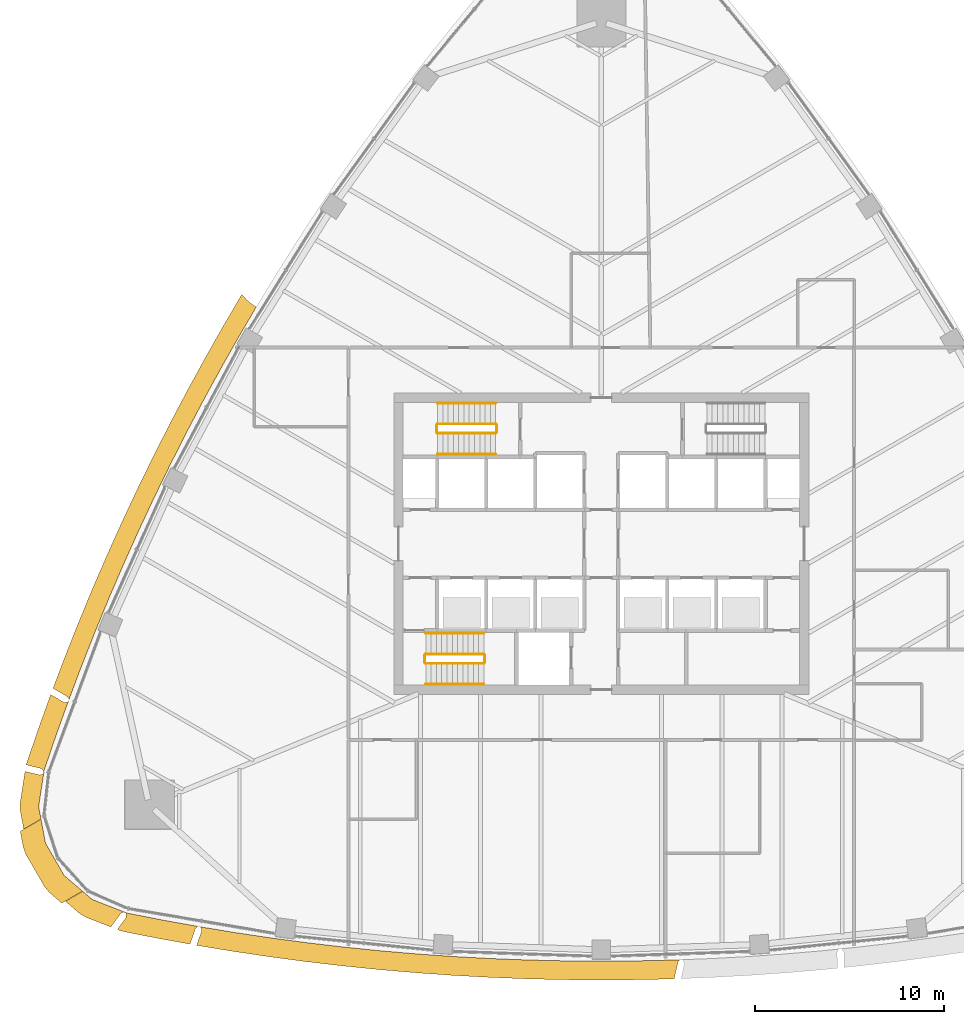
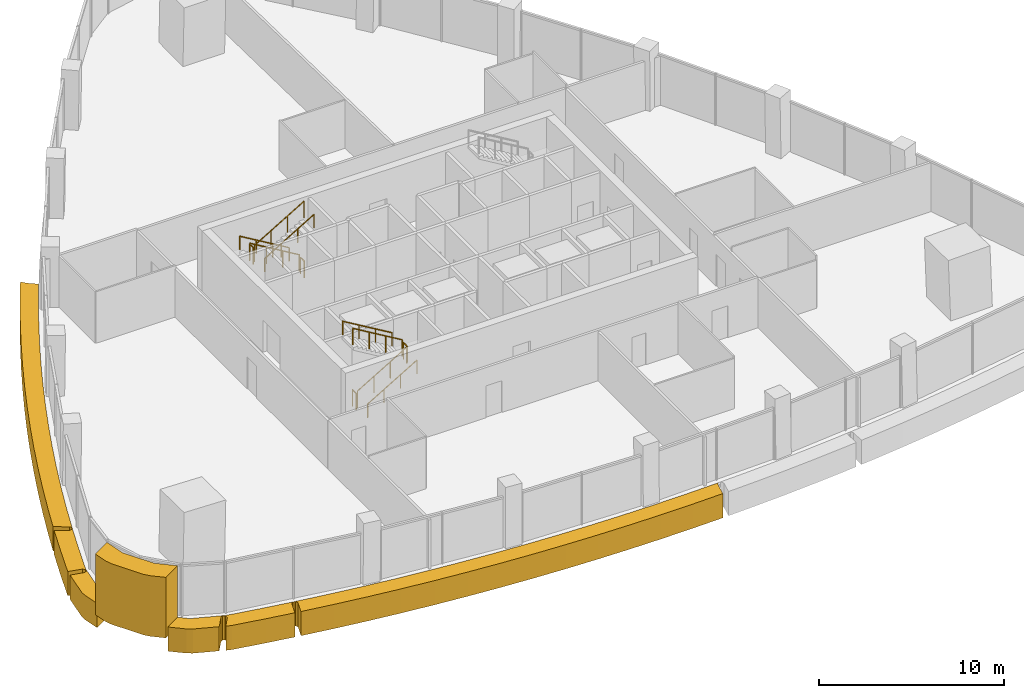
# One storey, part 13 of 16: 12 railings, 3 coverings.
"""IFC4 building model written with IfcOpenShell, lengths in metres."""

from ifc_helpers import new_model, si_unit, direction, frame, origin, origin_2d, place, context, subcontext, project, spatial, polyline, circle, outline, extrude, material, layer, layer_set, type_object, element, save


model = new_model("IFC4")

# Units and contexts
model_context = context("Model", 3, precision=1e-05, world=origin(), true_north=direction((0.0, 1.0)))
body_context = subcontext(model_context, "Body", "Model", "MODEL_VIEW")
ifc_project = project(units=[si_unit("LENGTHUNIT", "METRE"), si_unit("AREAUNIT", "SQUARE_METRE"), si_unit("VOLUMEUNIT", "CUBIC_METRE"), si_unit("PLANEANGLEUNIT", "RADIAN"), si_unit("MASSUNIT", "GRAM", prefix="KILO")], contexts=[model_context])

# Site, building, storey
site_placement = place(None, origin())
site = spatial("IfcSite", under=ifc_project, at=site_placement, CompositionType="ELEMENT")
building_placement = place(site_placement, origin())
building = spatial("IfcBuilding", under=site, at=building_placement, Name="Sierra Prisma Convention Tower", CompositionType="ELEMENT")
storey_placement = place(building_placement, frame((0.0, 0.0, 165.800048828125)))
storey = spatial("IfcBuildingStorey", under=building, at=storey_placement, Name="L36", CompositionType="ELEMENT", Elevation=165.800048828125)

# Coverings
ifc_material_1 = material(Name="Aluminium composite bronze anodised", Category="aluminium")
ifc_layer_1 = layer(ifc_material_1, 1.199951171875)
ifc_layer_set_1 = layer_set([ifc_layer_1], Name="Bronze corner pier")
covering_type_1 = type_object("IfcCoveringType", Name="Bronze corner pier", PredefinedType="CLADDING", material=ifc_layer_set_1)
covering_1_placement = place(storey_placement, frame((0.0, 0.0, -0.60009765625)))
element("IfcCovering", 1, at=covering_1_placement, inside=storey, type_object=covering_type_1, Name="Corner pier SW L36.1", PredefinedType="CLADDING", context=body_context, shape_type="SweptSolid", body=[
    extrude(outline(polyline([(-29.46435546875, -15.873779296875), (-28.479248046875, -17.580078125), (-27.501953125, -18.418701171875), (-28.603515625, -19.0546875), (-29.260498046875, -18.49072265625), (-29.518310546875, -18.18017578125), (-30.503662109375, -16.4736328125), (-30.643798828125, -16.09521484375), (-30.803466796875, -15.244140625), (-29.701904296875, -14.608154296875), (-29.46435546875, -15.873779296875)])), origin(), (0.0, 0.0, 1.0), 4.0),
])
ifc_material_2 = material(Name="Aluminium composite bronze anodised", Category="aluminium")
ifc_layer_2 = layer(ifc_material_2, 1.0)
ifc_layer_set_2 = layer_set([ifc_layer_2], Name="Bronze spandrel band")
covering_type_2 = type_object("IfcCoveringType", Name="Bronze spandrel band", PredefinedType="CLADDING", material=ifc_layer_set_2)
covering_2_placement = place(storey_placement, frame((0.0, 0.0, -1.60009765625)))
element("IfcCovering", 2, at=covering_2_placement, inside=storey, type_object=covering_type_2, Name="Spandrel band L36.1", PredefinedType="CLADDING", context=body_context, shape_type="SweptSolid", body=[
    extrude(outline(polyline([(-26.24365234375, -0.6943359375), (-26.2373046875, -0.68017578125), (-25.438720703125, 1.09619140625), (-25.43212890625, 1.1103515625), (-24.60595703125, 2.8740234375), (-24.599365234375, 2.88818359375), (-23.745849609375, 4.638916015625), (-23.739013671875, 4.652587890625), (-22.8583984375, 6.389892578125), (-22.85107421875, 6.40380859375), (-21.943603515625, 8.126953125), (-21.936279296875, 8.140625), (-21.001953125, 9.849609375), (-20.994384765625, 9.86328125), (-20.03369140625, 11.5576171875), (-20.02587890625, 11.571044921875), (-19.05419921875, 13.224609375), (-18.95263671875, 13.09619140625), (-18.780517578125, 12.91748046875), (-18.591552734375, 12.756591796875), (-18.3876953125, 12.615234375), (-18.28857421875, 12.553466796875), (-19.163818359375, 11.064208984375), (-20.12451171875, 9.3701171875), (-21.058837890625, 7.6611328125), (-21.96630859375, 5.937744140625), (-22.846923828125, 4.20068359375), (-23.700439453125, 2.449951171875), (-24.526611328125, 0.68603515625), (-25.3251953125, -1.090087890625), (-26.09619140625, -2.87890625), (-26.839111328125, -4.67919921875), (-27.55419921875, -6.490966796875), (-28.24072265625, -8.3134765625), (-28.899169921875, -10.146484375), (-29.52880859375, -11.989501953125), (-29.827880859375, -13.93701171875), (-29.703857421875, -14.59765625), (-30.621826171875, -15.127685546875), (-30.810791015625, -14.12158203125), (-30.81640625, -13.785400390625), (-30.552490234375, -12.067138671875), (-29.7802734375, -12.255859375), (-29.775146484375, -12.2568359375), (-29.770263671875, -12.25732421875), (-29.76513671875, -12.257080078125), (-29.76025390625, -12.256591796875), (-29.755126953125, -12.255615234375), (-29.75048828125, -12.25390625), (-29.60986328125, -12.2001953125), (-29.60546875, -12.1982421875), (-29.601318359375, -12.196044921875), (-29.597412109375, -12.193359375), (-29.593505859375, -12.190185546875), (-29.590087890625, -12.186767578125), (-29.587158203125, -12.18310546875), (-29.584716796875, -12.17919921875), (-29.58251953125, -12.1748046875), (-29.58056640625, -12.17041015625), (-29.5791015625, -12.165771484375), (-29.578125, -12.1611328125), (-29.56298828125, -12.062255859375), (-29.5625, -12.0576171875), (-29.5625, -12.052490234375), (-29.56298828125, -12.0478515625), (-29.563720703125, -12.04296875), (-29.565185546875, -12.038330078125), (-29.56689453125, -12.03369140625), (-29.569091796875, -12.029541015625), (-29.572021484375, -12.025390625), (-29.574951171875, -12.021728515625), (-29.578369140625, -12.018310546875), (-29.6748046875, -11.927978515625), (-29.6787109375, -11.924560546875), (-29.682861328125, -11.921875), (-29.6875, -11.919189453125), (-29.692138671875, -11.91748046875), (-29.697021484375, -11.916015625), (-30.48876953125, -11.722412109375), (-30.47509765625, -11.666259765625), (-29.845458984375, -9.8232421875), (-29.84033203125, -9.80859375), (-29.18896484375, -7.994873046875), (-28.493896484375, -8.40673828125), (-28.48974609375, -8.408935546875), (-28.485595703125, -8.410888671875), (-28.481201171875, -8.412109375), (-28.4765625, -8.4130859375), (-28.471923828125, -8.413818359375), (-28.46728515625, -8.413818359375), (-28.462646484375, -8.41357421875), (-28.30419921875, -8.39501953125), (-28.29931640625, -8.394287109375), (-28.29443359375, -8.392822265625), (-28.289794921875, -8.39111328125), (-28.285400390625, -8.388916015625), (-28.28125, -8.38623046875), (-28.27734375, -8.38330078125), (-28.273681640625, -8.3798828125), (-28.2705078125, -8.3759765625), (-28.267578125, -8.371826171875), (-28.26513671875, -8.36767578125), (-28.26318359375, -8.363037109375), (-28.22802734375, -8.269287109375), (-28.226318359375, -8.264404296875), (-28.225341796875, -8.259521484375), (-28.224853515625, -8.25439453125), (-28.224853515625, -8.2490234375), (-28.225341796875, -8.243896484375), (-28.226318359375, -8.239013671875), (-28.22802734375, -8.23388671875), (-28.22998046875, -8.229248046875), (-28.232666015625, -8.224853515625), (-28.298828125, -8.12158203125), (-28.301513671875, -8.117919921875), (-28.3046875, -8.114501953125), (-28.30810546875, -8.111083984375), (-28.3115234375, -8.1083984375), (-28.3154296875, -8.105712890625), (-29.064208984375, -7.662109375), (-28.489990234375, -6.13818359375), (-28.484375, -6.123779296875), (-27.769287109375, -4.31201171875), (-27.763671875, -4.297607421875), (-27.0205078125, -2.497314453125), (-27.014404296875, -2.48291015625), (-26.24365234375, -0.6943359375)])), origin(), (0.0, 0.0, 1.0), 1.60009765625),
])
covering_3_placement = place(storey_placement, frame((0.0, 0.0, -1.60009765625)))
element("IfcCovering", 3, at=covering_3_placement, inside=storey, type_object=covering_type_2, Name="Spandrel band L36.2", PredefinedType="CLADDING", context=body_context, shape_type="SweptSolid", body=[
    extrude(outline(polyline([(-25.147705078125, -19.577880859375), (-23.23681640625, -19.9541015625), (-21.320068359375, -20.300537109375), (-19.3984375, -20.6171875), (-17.471923828125, -20.90380859375), (-15.541259765625, -21.16064453125), (-13.606689453125, -21.38720703125), (-11.669189453125, -21.583740234375), (-9.728515625, -21.750244140625), (-7.78564453125, -21.88623046875), (-5.8408203125, -21.9921875), (-3.894775390625, -22.068115234375), (-1.947509765625, -22.11328125), (0.0, -22.128662109375), (1.947509765625, -22.11328125), (3.894775390625, -22.068115234375), (4.1611328125, -22.0576171875), (4.15673828125, -22.059814453125), (4.152587890625, -22.062744140625), (4.148681640625, -22.06591796875), (4.145263671875, -22.0693359375), (4.14208984375, -22.072998046875), (4.07470703125, -22.163330078125), (4.072021484375, -22.167724609375), (4.069580078125, -22.17236328125), (4.0673828125, -22.17724609375), (4.066162109375, -22.18212890625), (3.864990234375, -23.069091796875), (1.970947265625, -23.11328125), (1.955322265625, -23.11328125), (0.0078125, -23.12841796875), (-0.0078125, -23.12841796875), (-1.955322265625, -23.11328125), (-1.970947265625, -23.11328125), (-3.91796875, -23.067626953125), (-3.93359375, -23.067138671875), (-5.8798828125, -22.991455078125), (-5.895263671875, -22.99072265625), (-7.840087890625, -22.885009765625), (-7.855712890625, -22.8837890625), (-9.798583984375, -22.747802734375), (-9.81396484375, -22.74658203125), (-11.75439453125, -22.580078125), (-11.77001953125, -22.57861328125), (-13.707763671875, -22.382080078125), (-13.72314453125, -22.38037109375), (-15.65771484375, -22.15380859375), (-15.673095703125, -22.15185546875), (-17.603759765625, -21.89501953125), (-17.619140625, -21.89306640625), (-19.545654296875, -21.606201171875), (-19.560791015625, -21.60400390625), (-21.455078125, -21.291748046875), (-21.1875, -20.529052734375), (-21.18603515625, -20.524658203125), (-21.18505859375, -20.52001953125), (-21.1845703125, -20.515380859375), (-21.1845703125, -20.5107421875), (-21.184814453125, -20.506103515625), (-21.185791015625, -20.50146484375), (-21.18701171875, -20.4970703125), (-21.236083984375, -20.345458984375), (-21.23779296875, -20.3408203125), (-21.239990234375, -20.336181640625), (-21.24267578125, -20.33203125), (-21.245849609375, -20.328125), (-21.249267578125, -20.324462890625), (-21.2529296875, -20.3212890625), (-21.257080078125, -20.318359375), (-21.261474609375, -20.31591796875), (-21.265869140625, -20.31396484375), (-21.270751953125, -20.3125), (-21.275390625, -20.311279296875), (-21.374267578125, -20.295166015625), (-21.37939453125, -20.294677734375), (-21.384521484375, -20.294677734375), (-21.3896484375, -20.295166015625), (-21.394775390625, -20.296142578125), (-21.399658203125, -20.297607421875), (-21.404296875, -20.2998046875), (-21.408935546875, -20.30224609375), (-21.4130859375, -20.30517578125), (-21.4169921875, -20.30859375), (-21.505126953125, -20.393798828125), (-21.50830078125, -20.397216796875), (-21.51123046875, -20.400634765625), (-21.513671875, -20.404541015625), (-21.515869140625, -20.40869140625), (-21.517578125, -20.4130859375), (-21.80419921875, -21.229248046875), (-23.41455078125, -20.93798828125), (-23.429931640625, -20.935302734375), (-25.3408203125, -20.55908203125), (-25.510498046875, -20.509765625), (-25.661376953125, -20.450927734375), (-25.19482421875, -19.81494140625), (-25.192138671875, -19.810791015625), (-25.189697265625, -19.806396484375), (-25.18798828125, -19.8017578125), (-25.1865234375, -19.797119140625), (-25.185791015625, -19.7919921875), (-25.185302734375, -19.787109375), (-25.185302734375, -19.7822265625), (-25.196044921875, -19.614501953125), (-25.196533203125, -19.60986328125), (-25.197509765625, -19.605224609375), (-25.198974609375, -19.6005859375), (-25.20068359375, -19.59619140625), (-25.202880859375, -19.59228515625), (-25.20556640625, -19.588134765625), (-25.20849609375, -19.58447265625), (-25.2119140625, -19.581298828125), (-25.21533203125, -19.578125), (-25.21923828125, -19.575439453125), (-25.223388671875, -19.572998046875), (-25.227783203125, -19.571044921875), (-25.321044921875, -19.534912109375), (-25.32568359375, -19.533203125), (-25.33056640625, -19.5322265625), (-25.33544921875, -19.531494140625), (-25.34033203125, -19.531494140625), (-25.34521484375, -19.531982421875), (-25.35009765625, -19.53271484375), (-25.35498046875, -19.5341796875), (-25.359619140625, -19.535888671875), (-25.364013671875, -19.5380859375), (-25.461669921875, -19.593994140625), (-25.466064453125, -19.596923828125), (-25.47021484375, -19.60009765625), (-25.473876953125, -19.60400390625), (-25.47705078125, -19.60791015625), (-25.9990234375, -20.319580078125), (-27.3466796875, -19.795166015625), (-27.635009765625, -19.6220703125), (-28.411865234375, -18.95556640625), (-27.493896484375, -18.425537109375), (-26.98388671875, -18.86328125), (-25.147705078125, -19.577880859375)])), origin(), (0.0, 0.0, 1.0), 1.60009765625),
])

# Railings
ifc_material_3 = material(Name="Stainless steel", Category="steel")
railing_type_1 = type_object("IfcRailingType", Name="Exit stair handrail", PredefinedType="HANDRAIL", material=ifc_material_3)
railing_1_placement = place(storey_placement, frame((-9.300048828125, -7.449951171875, 0.16650390625)))
element("IfcRailing", 4, at=railing_1_placement, inside=storey, type_object=railing_type_1, Name="L36 S1 stair handrail 1", PredefinedType="HANDRAIL", context=body_context, shape_type="SweptSolid", body=[
    extrude(circle(Radius=0.02392578125, at=origin_2d()), frame((0.0, 0.0, 0.8759765625), z_axis=(0.85927862911, 0.0, 0.511507807912), x_axis=(0.0, 1.0, 0.0)), (0.0, 0.0, 1.0), 3.58447265625),
    extrude(circle(Radius=0.02099609375, at=origin_2d()), origin(), (0.0, 0.0, 1.0), 0.851806640625),
    extrude(circle(Radius=0.02099609375, at=origin_2d()), frame((1.026611328125, 0.0, 0.611083984375)), (0.0, 0.0, 1.0), 0.851806640625),
    extrude(circle(Radius=0.02099609375, at=origin_2d()), frame((2.053466796875, 0.0, 1.222412109375)), (0.0, 0.0, 1.0), 0.851806640625),
    extrude(circle(Radius=0.02099609375, at=origin_2d()), frame((3.080078125, 0.0, 1.83349609375)), (0.0, 0.0, 1.0), 0.851806640625),
])
railing_2_placement = place(storey_placement, frame((-6.219970703125, -4.75, 2.16650390625)))
element("IfcRailing", 5, at=railing_2_placement, inside=storey, type_object=railing_type_1, Name="L36 S1 stair handrail 2", PredefinedType="HANDRAIL", context=body_context, shape_type="SweptSolid", body=[
    extrude(circle(Radius=0.02392578125, at=origin_2d()), frame((0.0, 0.0, 0.8759765625), z_axis=(-0.85927862911, 0.0, 0.511507807912), x_axis=(0.0, -1.0, 0.0)), (0.0, 0.0, 1.0), 3.58447265625),
    extrude(circle(Radius=0.02099609375, at=origin_2d()), origin(), (0.0, 0.0, 1.0), 0.851806640625),
    extrude(circle(Radius=0.02099609375, at=origin_2d()), frame((-1.026611328125, 0.0, 0.611083984375)), (0.0, 0.0, 1.0), 0.851806640625),
    extrude(circle(Radius=0.02099609375, at=origin_2d()), frame((-2.053466796875, 0.0, 1.222412109375)), (0.0, 0.0, 1.0), 0.851806640625),
    extrude(circle(Radius=0.02099609375, at=origin_2d()), frame((-3.080078125, 0.0, 1.83349609375)), (0.0, 0.0, 1.0), 0.851806640625),
])
railing_3_placement = place(storey_placement, frame((-5.60009765625, 7.449951171875, 0.16650390625)))
element("IfcRailing", 6, at=railing_3_placement, inside=storey, type_object=railing_type_1, Name="L36 S3 stair handrail 1", PredefinedType="HANDRAIL", context=body_context, shape_type="SweptSolid", body=[
    extrude(circle(Radius=0.02392578125, at=origin_2d()), frame((0.0, 0.0, 0.8759765625), z_axis=(-0.859260807169, 0.0, 0.511537745687), x_axis=(0.0, -1.0, 0.0)), (0.0, 0.0, 1.0), 3.584228515625),
    extrude(circle(Radius=0.02099609375, at=origin_2d()), origin(), (0.0, 0.0, 1.0), 0.851806640625),
    extrude(circle(Radius=0.02099609375, at=origin_2d()), frame((-1.026611328125, 0.0, 0.611083984375)), (0.0, 0.0, 1.0), 0.851806640625),
    extrude(circle(Radius=0.02099609375, at=origin_2d()), frame((-2.05322265625, 0.0, 1.222412109375)), (0.0, 0.0, 1.0), 0.851806640625),
    extrude(circle(Radius=0.02099609375, at=origin_2d()), frame((-3.079833984375, 0.0, 1.83349609375)), (0.0, 0.0, 1.0), 0.851806640625),
])
railing_4_placement = place(storey_placement, frame((-8.679931640625, 4.75, 2.16650390625)))
element("IfcRailing", 7, at=railing_4_placement, inside=storey, type_object=railing_type_1, Name="L36 S3 stair handrail 2", PredefinedType="HANDRAIL", context=body_context, shape_type="SweptSolid", body=[
    extrude(circle(Radius=0.02392578125, at=origin_2d()), frame((0.0, 0.0, 0.8759765625), z_axis=(0.859260807169, 0.0, 0.511537745687), x_axis=(0.0, 1.0, 0.0)), (0.0, 0.0, 1.0), 3.584228515625),
    extrude(circle(Radius=0.02099609375, at=origin_2d()), origin(), (0.0, 0.0, 1.0), 0.851806640625),
    extrude(circle(Radius=0.02099609375, at=origin_2d()), frame((1.026611328125, 0.0, 0.611083984375)), (0.0, 0.0, 1.0), 0.851806640625),
    extrude(circle(Radius=0.02099609375, at=origin_2d()), frame((2.05322265625, 0.0, 1.222412109375)), (0.0, 0.0, 1.0), 0.851806640625),
    extrude(circle(Radius=0.02099609375, at=origin_2d()), frame((3.079833984375, 0.0, 1.83349609375)), (0.0, 0.0, 1.0), 0.851806640625),
])
ifc_material_4 = material(Name="Stainless steel", Category="steel")
railing_type_2 = type_object("IfcRailingType", Name="Stair guard 1100", PredefinedType="GUARDRAIL", material=ifc_material_4)
railing_5_placement = place(storey_placement, frame((-9.300048828125, -6.35009765625, 0.16650390625)))
element("IfcRailing", 8, at=railing_5_placement, inside=storey, type_object=railing_type_2, Name="L36 S1 stair guard 1", PredefinedType="GUARDRAIL", context=body_context, shape_type="SweptSolid", body=[
    extrude(circle(Radius=0.02392578125, at=origin_2d()), frame((0.0, 0.0, 1.076171875), z_axis=(0.85927862911, 0.0, 0.511507807912), x_axis=(0.0, 1.0, 0.0)), (0.0, 0.0, 1.0), 3.58447265625),
    extrude(circle(Radius=0.02099609375, at=origin_2d()), origin(), (0.0, 0.0, 1.0), 1.052001953125),
    extrude(circle(Radius=0.02099609375, at=origin_2d()), frame((1.026611328125, 0.0, 0.611083984375)), (0.0, 0.0, 1.0), 1.052001953125),
    extrude(circle(Radius=0.02099609375, at=origin_2d()), frame((2.053466796875, 0.0, 1.222412109375)), (0.0, 0.0, 1.0), 1.052001953125),
    extrude(circle(Radius=0.02099609375, at=origin_2d()), frame((3.080078125, 0.0, 1.83349609375)), (0.0, 0.0, 1.0), 1.052001953125),
])
railing_6_placement = place(storey_placement, frame((-6.169921875, -6.300048828125, 2.0)))
element("IfcRailing", 9, at=railing_6_placement, inside=storey, type_object=railing_type_2, Name="L36 S1 stair guard 2", PredefinedType="GUARDRAIL", context=body_context, shape_type="SweptSolid", body=[
    extrude(circle(Radius=0.02392578125, at=origin_2d()), frame((0.0, 0.0, 1.076171875), z_axis=(0.0, 1.0, 0.0), x_axis=(-1.0, 0.0, 0.0)), (0.0, 0.0, 1.0), 0.400146484375),
    extrude(circle(Radius=0.02099609375, at=origin_2d()), origin(), (0.0, 0.0, 1.0), 1.052001953125),
    extrude(circle(Radius=0.02099609375, at=origin_2d()), frame((0.0, 0.400146484375, 0.0)), (0.0, 0.0, 1.0), 1.052001953125),
])
railing_7_placement = place(storey_placement, frame((-6.219970703125, -5.85009765625, 2.16650390625)))
element("IfcRailing", 10, at=railing_7_placement, inside=storey, type_object=railing_type_2, Name="L36 S1 stair guard 3", PredefinedType="GUARDRAIL", context=body_context, shape_type="SweptSolid", body=[
    extrude(circle(Radius=0.02392578125, at=origin_2d()), frame((0.0, 0.0, 1.076171875), z_axis=(-0.85927862911, 0.0, 0.511507807912), x_axis=(0.0, -1.0, 0.0)), (0.0, 0.0, 1.0), 3.58447265625),
    extrude(circle(Radius=0.02099609375, at=origin_2d()), origin(), (0.0, 0.0, 1.0), 1.052001953125),
    extrude(circle(Radius=0.02099609375, at=origin_2d()), frame((-1.026611328125, 0.0, 0.611083984375)), (0.0, 0.0, 1.0), 1.052001953125),
    extrude(circle(Radius=0.02099609375, at=origin_2d()), frame((-2.053466796875, 0.0, 1.222412109375)), (0.0, 0.0, 1.0), 1.052001953125),
    extrude(circle(Radius=0.02099609375, at=origin_2d()), frame((-3.080078125, 0.0, 1.83349609375)), (0.0, 0.0, 1.0), 1.052001953125),
])
railing_8_placement = place(storey_placement, frame((-9.35009765625, -6.300048828125, 0.0)))
element("IfcRailing", 11, at=railing_8_placement, inside=storey, type_object=railing_type_2, Name="L36 S1 stair guard 4", PredefinedType="GUARDRAIL", context=body_context, shape_type="SweptSolid", body=[
    extrude(circle(Radius=0.02392578125, at=origin_2d()), frame((0.0, 0.0, 1.076171875), z_axis=(0.0, 1.0, 0.0), x_axis=(-1.0, 0.0, 0.0)), (0.0, 0.0, 1.0), 0.400146484375),
    extrude(circle(Radius=0.02099609375, at=origin_2d()), origin(), (0.0, 0.0, 1.0), 1.052001953125),
    extrude(circle(Radius=0.02099609375, at=origin_2d()), frame((0.0, 0.400146484375, 0.0)), (0.0, 0.0, 1.0), 1.052001953125),
])
railing_9_placement = place(storey_placement, frame((-5.60009765625, 6.35009765625, 0.16650390625)))
element("IfcRailing", 12, at=railing_9_placement, inside=storey, type_object=railing_type_2, Name="L36 S3 stair guard 1", PredefinedType="GUARDRAIL", context=body_context, shape_type="SweptSolid", body=[
    extrude(circle(Radius=0.02392578125, at=origin_2d()), frame((0.0, 0.0, 1.076171875), z_axis=(-0.859260807169, 0.0, 0.511537745687), x_axis=(0.0, -1.0, 0.0)), (0.0, 0.0, 1.0), 3.584228515625),
    extrude(circle(Radius=0.02099609375, at=origin_2d()), origin(), (0.0, 0.0, 1.0), 1.052001953125),
    extrude(circle(Radius=0.02099609375, at=origin_2d()), frame((-1.026611328125, 0.0, 0.611083984375)), (0.0, 0.0, 1.0), 1.052001953125),
    extrude(circle(Radius=0.02099609375, at=origin_2d()), frame((-2.05322265625, 0.0, 1.222412109375)), (0.0, 0.0, 1.0), 1.052001953125),
    extrude(circle(Radius=0.02099609375, at=origin_2d()), frame((-3.079833984375, 0.0, 1.83349609375)), (0.0, 0.0, 1.0), 1.052001953125),
])
railing_10_placement = place(storey_placement, frame((-8.72998046875, 6.300048828125, 2.0)))
element("IfcRailing", 13, at=railing_10_placement, inside=storey, type_object=railing_type_2, Name="L36 S3 stair guard 2", PredefinedType="GUARDRAIL", context=body_context, shape_type="SweptSolid", body=[
    extrude(circle(Radius=0.02392578125, at=origin_2d()), frame((0.0, 0.0, 1.076171875), z_axis=(0.0, -1.0, 0.0), x_axis=(1.0, 0.0, 0.0)), (0.0, 0.0, 1.0), 0.400146484375),
    extrude(circle(Radius=0.02099609375, at=origin_2d()), origin(), (0.0, 0.0, 1.0), 1.052001953125),
    extrude(circle(Radius=0.02099609375, at=origin_2d()), frame((0.0, -0.400146484375, 0.0)), (0.0, 0.0, 1.0), 1.052001953125),
])
railing_11_placement = place(storey_placement, frame((-8.679931640625, 5.85009765625, 2.16650390625)))
element("IfcRailing", 14, at=railing_11_placement, inside=storey, type_object=railing_type_2, Name="L36 S3 stair guard 3", PredefinedType="GUARDRAIL", context=body_context, shape_type="SweptSolid", body=[
    extrude(circle(Radius=0.02392578125, at=origin_2d()), frame((0.0, 0.0, 1.076171875), z_axis=(0.859260807169, 0.0, 0.511537745687), x_axis=(0.0, 1.0, 0.0)), (0.0, 0.0, 1.0), 3.584228515625),
    extrude(circle(Radius=0.02099609375, at=origin_2d()), origin(), (0.0, 0.0, 1.0), 1.052001953125),
    extrude(circle(Radius=0.02099609375, at=origin_2d()), frame((1.026611328125, 0.0, 0.611083984375)), (0.0, 0.0, 1.0), 1.052001953125),
    extrude(circle(Radius=0.02099609375, at=origin_2d()), frame((2.05322265625, 0.0, 1.222412109375)), (0.0, 0.0, 1.0), 1.052001953125),
    extrude(circle(Radius=0.02099609375, at=origin_2d()), frame((3.079833984375, 0.0, 1.83349609375)), (0.0, 0.0, 1.0), 1.052001953125),
])
railing_12_placement = place(storey_placement, frame((-5.550048828125, 6.300048828125, 0.0)))
element("IfcRailing", 15, at=railing_12_placement, inside=storey, type_object=railing_type_2, Name="L36 S3 stair guard 4", PredefinedType="GUARDRAIL", context=body_context, shape_type="SweptSolid", body=[
    extrude(circle(Radius=0.02392578125, at=origin_2d()), frame((0.0, 0.0, 1.076171875), z_axis=(0.0, -1.0, 0.0), x_axis=(1.0, 0.0, 0.0)), (0.0, 0.0, 1.0), 0.400146484375),
    extrude(circle(Radius=0.02099609375, at=origin_2d()), origin(), (0.0, 0.0, 1.0), 1.052001953125),
    extrude(circle(Radius=0.02099609375, at=origin_2d()), frame((0.0, -0.400146484375, 0.0)), (0.0, 0.0, 1.0), 1.052001953125),
])

save(model, "model.ifc")
